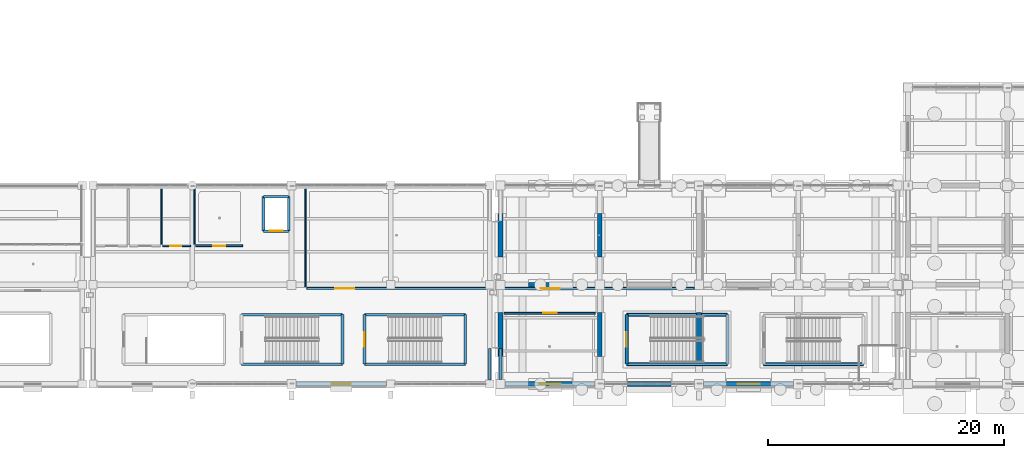
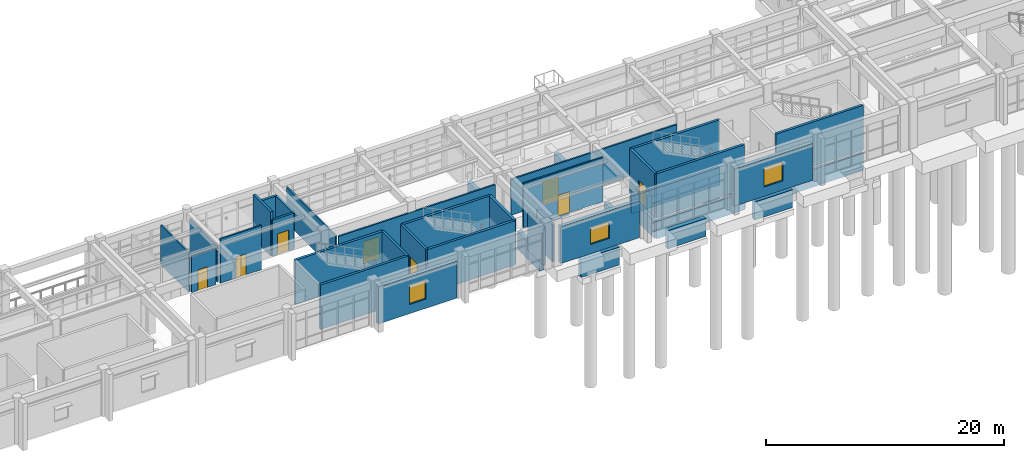
# One storey, part 84 of 111: 42 walls, 8 doors, 3 windows, 11 openings.
"""IFC4 building model written with IfcOpenShell, lengths in metres."""

from ifc_helpers import new_model, si_unit, direction, frame, frame_2d, origin, place, context, subcontext, project, spatial, rectangle, extrude, material, layer, layer_set, type_object, element, fill, save


model = new_model("IFC4")

# Units and contexts
model_context = context("Model", 3, precision=1e-05, world=origin(), true_north=direction((0.0, 1.0)))
body_context = subcontext(model_context, "Body", "Model", "MODEL_VIEW")
ifc_project = project(units=[si_unit("LENGTHUNIT", "METRE"), si_unit("AREAUNIT", "SQUARE_METRE"), si_unit("VOLUMEUNIT", "CUBIC_METRE"), si_unit("PLANEANGLEUNIT", "RADIAN"), si_unit("MASSUNIT", "GRAM", prefix="KILO")], contexts=[model_context])

# Site, building, storey
site_placement = place(None, origin())
site = spatial("IfcSite", under=ifc_project, at=site_placement, CompositionType="ELEMENT")
building_placement = place(site_placement, origin())
building = spatial("IfcBuilding", under=site, at=building_placement, Name="Canglan Escarpment Cableway Terminal", CompositionType="ELEMENT")
storey_placement = place(building_placement, frame((0.0, 0.0, 4.800048828125)))
storey = spatial("IfcBuildingStorey", under=building, at=storey_placement, Name="L01", CompositionType="ELEMENT", Elevation=4.800048828125)

# Walls
ifc_material_1 = material(Name="Concrete C40", Category="concrete")
ifc_layer_1 = layer(ifc_material_1, 0.39990234375, Name="Concrete C40")
ifc_layer_set_1 = layer_set([ifc_layer_1], Name="Concrete C40")
wall_type_1 = type_object("IfcWallType", Name="WL-BENCH-SOLID-400", PredefinedType="SOLIDWALL", material=ifc_layer_set_1)
for number, where, z_axis, x_axis, name in (
    (1, (79.35009765625, 8.0, -2.10009765625), (0.0, 0.0, 1.0), (1.0, 0.0, 0.0), "Hillside bench foundation wall BWALL-X-FB3-1-1"),
    (2, (87.75, 8.0, -2.10009765625), (0.0, 0.0, 1.0), (1.0, 0.0, 0.0), "Hillside bench foundation wall BWALL-X-FB3-1-2"),
):
    element("IfcWall", number, at=place(storey_placement, frame(where, z_axis=z_axis, x_axis=x_axis)), inside=storey, type_object=wall_type_1, Name=name, PredefinedType="SOLIDWALL", context=body_context, shape_type="SweptSolid", body=[
        extrude(rectangle(XDim=3.699951171875, YDim=0.39990234375, at=frame_2d((1.85009765625, 0.0))), origin(), (0.0, 0.0, 1.0), 1.85009765625),
    ])
wall_1_placement = place(storey_placement, frame((96.14990234375, 8.0, -2.10009765625), z_axis=(0.0, 0.0, 1.0), x_axis=(1.0, 0.0, 0.0)))
element("IfcWall", 3, at=wall_1_placement, inside=storey, type_object=wall_type_1, Name="Hillside bench foundation wall BWALL-X-FB3-1-3", PredefinedType="SOLIDWALL", context=body_context, shape_type="SweptSolid", body=[
    extrude(rectangle(XDim=3.7001953125, YDim=0.39990234375, at=frame_2d((1.85009765625, 0.0))), origin(), (0.0, 0.0, 1.0), 1.85009765625),
])
for number, where, z_axis, x_axis, name in (
    (4, (79.35009765625, 16.39990234375, -2.10009765625), (0.0, 0.0, 1.0), (1.0, 0.0, 0.0), "Hillside bench foundation wall BWALL-X-FB3-2-1"),
    (5, (77.0, 10.35009765625, -2.10009765625), (0.0, 0.0, 1.0), (0.0, 1.0, 0.0), "Hillside bench transverse foundation wall BWALL-Y-FB3-1-1"),
    (6, (77.0, 18.75, -2.10009765625), (0.0, 0.0, 1.0), (0.0, 1.0, 0.0), "Hillside bench transverse foundation wall BWALL-Y-FB3-1-2"),
    (7, (85.39990234375, 10.35009765625, -2.10009765625), (0.0, 0.0, 1.0), (0.0, 1.0, 0.0), "Hillside bench transverse foundation wall BWALL-Y-FB3-2-1"),
    (8, (85.39990234375, 18.75, -2.10009765625), (0.0, 0.0, 1.0), (0.0, 1.0, 0.0), "Hillside bench transverse foundation wall BWALL-Y-FB3-2-2"),
):
    element("IfcWall", number, at=place(storey_placement, frame(where, z_axis=z_axis, x_axis=x_axis)), inside=storey, type_object=wall_type_1, Name=name, PredefinedType="SOLIDWALL", context=body_context, shape_type="SweptSolid", body=[
        extrude(rectangle(XDim=3.699951171875, YDim=0.39990234375, at=frame_2d((1.85009765625, 0.0))), origin(), (0.0, 0.0, 1.0), 1.85009765625),
    ])
wall_2_placement = place(storey_placement, frame((93.800048828125, 9.820068359375, -2.10009765625), z_axis=(0.0, 0.0, 1.0), x_axis=(0.0, 1.0, 0.0)))
element("IfcWall", 9, at=wall_2_placement, inside=storey, type_object=wall_type_1, Name="Hillside bench transverse foundation wall BWALL-Y-FB3-3-1", PredefinedType="SOLIDWALL", context=body_context, shape_type="SweptSolid", body=[
    extrude(rectangle(XDim=4.22998046875, YDim=0.39990234375, at=frame_2d((2.114990234375, 0.0))), origin(), (0.0, 0.0, 1.0), 1.85009765625),
])
wall_3_placement = place(storey_placement, frame((87.679931640625, 9.679931640625, -2.10009765625), z_axis=(0.0, 0.0, 1.0), x_axis=(1.0, 0.0, 0.0)))
element("IfcWall", 10, at=wall_3_placement, inside=storey, type_object=wall_type_1, Name="Stair core foundation wall ST-06", PredefinedType="SOLIDWALL", context=body_context, shape_type="SweptSolid", body=[
    extrude(rectangle(XDim=8.5400390625, YDim=0.280029296875, at=frame_2d((4.27001953125, 0.0))), origin(), (0.0, 0.0, 1.0), 1.800048828125),
])
wall_4_placement = place(storey_placement, frame((96.219970703125, 9.679931640625, -2.10009765625), z_axis=(0.0, 0.0, 1.0), x_axis=(0.0, 1.0, 0.0)))
element("IfcWall", 11, at=wall_4_placement, inside=storey, type_object=wall_type_1, Name="Stair core foundation wall ST-06", PredefinedType="SOLIDWALL", context=body_context, shape_type="SweptSolid", body=[
    extrude(rectangle(XDim=4.190185546875, YDim=0.280029296875, at=frame_2d((2.09521484375, 0.0))), origin(), (0.0, 0.0, 1.0), 1.800048828125),
])
wall_5_placement = place(storey_placement, frame((96.219970703125, 13.8701171875, -2.10009765625), z_axis=(0.0, 0.0, 1.0), x_axis=(-1.0, 0.0, 0.0)))
element("IfcWall", 12, at=wall_5_placement, inside=storey, type_object=wall_type_1, Name="Stair core foundation wall ST-06", PredefinedType="SOLIDWALL", context=body_context, shape_type="SweptSolid", body=[
    extrude(rectangle(XDim=8.5400390625, YDim=0.280029296875, at=frame_2d((4.27001953125, 0.0))), origin(), (0.0, 0.0, 1.0), 1.800048828125),
])
wall_6_placement = place(storey_placement, frame((87.679931640625, 13.8701171875, -2.10009765625), z_axis=(0.0, 0.0, 1.0), x_axis=(0.0, -1.0, 0.0)))
element("IfcWall", 13, at=wall_6_placement, inside=storey, type_object=wall_type_1, Name="Stair core foundation wall ST-06", PredefinedType="SOLIDWALL", context=body_context, shape_type="SweptSolid", body=[
    extrude(rectangle(XDim=4.190185546875, YDim=0.280029296875, at=frame_2d((2.09521484375, 0.0))), origin(), (0.0, 0.0, 1.0), 1.800048828125),
])
wall_7_placement = place(storey_placement, frame((99.280029296875, 9.679931640625, -2.10009765625), z_axis=(0.0, 0.0, 1.0), x_axis=(1.0, 0.0, 0.0)))
element("IfcWall", 14, at=wall_7_placement, inside=storey, type_object=wall_type_1, Name="Stair core foundation wall ST-14", PredefinedType="SOLIDWALL", context=body_context, shape_type="SweptSolid", body=[
    extrude(rectangle(XDim=8.43994140625, YDim=0.280029296875, at=frame_2d((4.219970703125, 0.0))), origin(), (0.0, 0.0, 1.0), 1.800048828125),
])
ifc_layer_2 = layer(ifc_material_1, 0.239990234375, Name="Concrete C40")
ifc_layer_set_2 = layer_set([ifc_layer_2], Name="Concrete C40")
wall_type_2 = type_object("IfcWallType", Name="WL-CORE-SHEAR-240", PredefinedType="SHEAR", material=ifc_layer_set_2)
wall_8_placement = place(storey_placement, frame((55.080078125, 9.679931640625, 0.0), z_axis=(0.0, 0.0, 1.0), x_axis=(1.0, 0.0, 0.0)))
element("IfcWall", 15, at=wall_8_placement, inside=storey, type_object=wall_type_2, Name="Protected stair core wall ST-04 (L01)", PredefinedType="SHEAR", context=body_context, shape_type="SweptSolid", body=[
    extrude(rectangle(XDim=8.5400390625, YDim=0.239990234375, at=frame_2d((4.27001953125, 0.0))), origin(), (0.0, 0.0, 1.0), 4.550048828125),
])
wall_9_placement = place(storey_placement, frame((63.6201171875, 9.679931640625, 0.0), z_axis=(0.0, 0.0, 1.0), x_axis=(0.0, 1.0, 0.0)))
element("IfcWall", 16, at=wall_9_placement, inside=storey, type_object=wall_type_2, Name="Protected stair core wall ST-04 (L01)", PredefinedType="SHEAR", context=body_context, shape_type="SweptSolid", body=[
    extrude(rectangle(XDim=4.190185546875, YDim=0.239990234375, at=frame_2d((2.09521484375, 0.0))), origin(), (0.0, 0.0, 1.0), 4.550048828125),
])
for number, where, z_axis, x_axis, name in (
    (17, (63.6201171875, 13.8701171875, 0.0), (0.0, 0.0, 1.0), (-1.0, 0.0, 0.0), "Protected stair core wall ST-04 (L01)"),
    (18, (65.47998046875, 9.679931640625, 0.0), (0.0, 0.0, 1.0), (1.0, 0.0, 0.0), "Protected stair core wall ST-05 (L01)"),
):
    element("IfcWall", number, at=place(storey_placement, frame(where, z_axis=z_axis, x_axis=x_axis)), inside=storey, type_object=wall_type_2, Name=name, PredefinedType="SHEAR", context=body_context, shape_type="SweptSolid", body=[
        extrude(rectangle(XDim=8.5400390625, YDim=0.239990234375, at=frame_2d((4.27001953125, 0.0))), origin(), (0.0, 0.0, 1.0), 4.550048828125),
    ])
wall_10_placement = place(storey_placement, frame((74.02001953125, 9.679931640625, 0.0), z_axis=(0.0, 0.0, 1.0), x_axis=(0.0, 1.0, 0.0)))
element("IfcWall", 19, at=wall_10_placement, inside=storey, type_object=wall_type_2, Name="Protected stair core wall ST-05 (L01)", PredefinedType="SHEAR", context=body_context, shape_type="SweptSolid", body=[
    extrude(rectangle(XDim=4.190185546875, YDim=0.239990234375, at=frame_2d((2.09521484375, 0.0))), origin(), (0.0, 0.0, 1.0), 4.550048828125),
])
wall_11_placement = place(storey_placement, frame((74.02001953125, 13.8701171875, 0.0), z_axis=(0.0, 0.0, 1.0), x_axis=(-1.0, 0.0, 0.0)))
element("IfcWall", 20, at=wall_11_placement, inside=storey, type_object=wall_type_2, Name="Protected stair core wall ST-05 (L01)", PredefinedType="SHEAR", context=body_context, shape_type="SweptSolid", body=[
    extrude(rectangle(XDim=8.5400390625, YDim=0.239990234375, at=frame_2d((4.27001953125, 0.0))), origin(), (0.0, 0.0, 1.0), 4.550048828125),
])

# Wall, opening, door
wall_12_placement = place(storey_placement, frame((65.47998046875, 13.8701171875, 0.0), z_axis=(0.0, 0.0, 1.0), x_axis=(0.0, -1.0, 0.0)))
wall_12 = element("IfcWall", 21, at=wall_12_placement, inside=storey, type_object=wall_type_2, Name="Protected stair core wall ST-05 (L01)", PredefinedType="SHEAR", context=body_context, shape_type="SweptSolid", body=[
    extrude(rectangle(XDim=4.190185546875, YDim=0.239990234375, at=frame_2d((2.09521484375, 0.0))), origin(), (0.0, 0.0, 1.0), 4.550048828125),
])
opening_1_placement = place(wall_12_placement, frame((1.469970703125, 0.0, 0.0)))
opening_1 = element("IfcOpeningElement", 22, at=opening_1_placement, cuts=wall_12, Name="Opening SD-D1", PredefinedType="OPENING", context=body_context, shape_type="SweptSolid", body=[
    extrude(rectangle(XDim=1.25, YDim=2.199951171875, at=frame_2d((0.625, 1.10009765625))), frame((0.0, 0.1298828125, 0.0), z_axis=(0.0, -1.0, 0.0), x_axis=(1.0, 0.0, 0.0)), (0.0, 0.0, 1.0), 0.260009765625),
])
ifc_material_2 = material(Name="Steel fire-resisting stair door", Category="steel")
door_type_1 = type_object("IfcDoorType", Name="DR-STAIR-EI90-1250", OperationType="NOTDEFINED", PredefinedType="DOOR", material=ifc_material_2)
door_1_placement = place(opening_1_placement, origin())
door_1 = element("IfcDoor", 23, at=door_1_placement, inside=storey, type_object=door_type_1, Name="Protected exit stair fire door ST-05 (L01)", OperationType="SINGLE_SWING_RIGHT", OverallHeight=2.199951171875, OverallWidth=1.25, PredefinedType="DOOR", context=body_context, shape_type="SweptSolid", body=[
    extrude(rectangle(XDim=1.25, YDim=2.199951171875, at=frame_2d((0.625, 1.10009765625))), frame((0.0, 0.02490234375, 0.0), z_axis=(0.0, -1.0, 0.0), x_axis=(1.0, 0.0, 0.0)), (0.0, 0.0, 1.0), 0.050048828125),
])
fill(opening_1, door_1)

# Walls
for number, where, z_axis, x_axis, name in (
    (24, (87.679931640625, 9.679931640625, 0.0), (0.0, 0.0, 1.0), (1.0, 0.0, 0.0), "Protected stair core wall ST-06 (L01)"),
    (25, (96.219970703125, 13.8701171875, 0.0), (0.0, 0.0, 1.0), (-1.0, 0.0, 0.0), "Protected stair core wall ST-06 (L01)"),
):
    element("IfcWall", number, at=place(storey_placement, frame(where, z_axis=z_axis, x_axis=x_axis)), inside=storey, type_object=wall_type_2, Name=name, PredefinedType="SHEAR", context=body_context, shape_type="SweptSolid", body=[
        extrude(rectangle(XDim=8.5400390625, YDim=0.239990234375, at=frame_2d((4.27001953125, 0.0))), origin(), (0.0, 0.0, 1.0), 4.550048828125),
    ])

# Wall, opening, door
wall_13_placement = place(storey_placement, frame((87.679931640625, 13.8701171875, 0.0), z_axis=(0.0, 0.0, 1.0), x_axis=(0.0, -1.0, 0.0)))
wall_13 = element("IfcWall", 26, at=wall_13_placement, inside=storey, type_object=wall_type_2, Name="Protected stair core wall ST-06 (L01)", PredefinedType="SHEAR", context=body_context, shape_type="SweptSolid", body=[
    extrude(rectangle(XDim=4.190185546875, YDim=0.239990234375, at=frame_2d((2.09521484375, 0.0))), origin(), (0.0, 0.0, 1.0), 4.550048828125),
])
opening_2_placement = place(wall_13_placement, frame((1.469970703125, 0.0, 0.0)))
opening_2 = element("IfcOpeningElement", 27, at=opening_2_placement, cuts=wall_13, Name="Opening SD-D1", PredefinedType="OPENING", context=body_context, shape_type="SweptSolid", body=[
    extrude(rectangle(XDim=1.25, YDim=2.199951171875, at=frame_2d((0.625, 1.10009765625))), frame((0.0, 0.1298828125, 0.0), z_axis=(0.0, -1.0, 0.0), x_axis=(1.0, 0.0, 0.0)), (0.0, 0.0, 1.0), 0.260009765625),
])
door_2_placement = place(opening_2_placement, origin())
door_2 = element("IfcDoor", 28, at=door_2_placement, inside=storey, type_object=door_type_1, Name="Protected exit stair fire door ST-06 (L01)", OperationType="SINGLE_SWING_RIGHT", OverallHeight=2.199951171875, OverallWidth=1.25, PredefinedType="DOOR", context=body_context, shape_type="SweptSolid", body=[
    extrude(rectangle(XDim=1.25, YDim=2.199951171875, at=frame_2d((0.625, 1.10009765625))), frame((0.0, 0.02490234375, 0.0), z_axis=(0.0, -1.0, 0.0), x_axis=(1.0, 0.0, 0.0)), (0.0, 0.0, 1.0), 0.050048828125),
])
fill(opening_2, door_2)

# Walls
wall_14_placement = place(storey_placement, frame((99.280029296875, 9.679931640625, 0.0), z_axis=(0.0, 0.0, 1.0), x_axis=(1.0, 0.0, 0.0)))
element("IfcWall", 29, at=wall_14_placement, inside=storey, type_object=wall_type_2, Name="Protected stair core wall ST-14 (L01)", PredefinedType="SHEAR", context=body_context, shape_type="SweptSolid", body=[
    extrude(rectangle(XDim=8.43994140625, YDim=0.239990234375, at=frame_2d((4.219970703125, 0.0))), origin(), (0.0, 0.0, 1.0), 4.550048828125),
])
ifc_material_3 = material(Name="Insulated stone-faced spandrel wall", Category="masonry")
ifc_layer_3 = layer(ifc_material_3, 0.22998046875, Name="Insulated stone-faced spandrel wall")
ifc_layer_set_3 = layer_set([ifc_layer_3], Name="Insulated stone-faced spandrel wall")
wall_type_3 = type_object("IfcWallType", Name="WL-EXT-LINK-230", PredefinedType="STANDARD", material=ifc_layer_set_3)
wall_15_placement = place(storey_placement, frame((76.10009765625, 8.35009765625, 0.0), z_axis=(0.0, 0.0, 1.0), x_axis=(0.0, 1.0, 0.0)))
element("IfcWall", 30, at=wall_15_placement, inside=storey, type_object=wall_type_3, Name="Classical stone-faced exterior wall EW-FB2-L01-E-01-FL1", PredefinedType="STANDARD", context=body_context, shape_type="SweptSolid", body=[
    extrude(rectangle(XDim=2.64990234375, YDim=0.22998046875, at=frame_2d((1.324951171875, 0.0))), origin(), (0.0, 0.0, 1.0), 3.784912109375),
])
wall_16_placement = place(storey_placement, frame((77.0, 8.375, 0.0), z_axis=(0.0, 0.0, 1.0), x_axis=(0.0, 1.0, 0.0)))
element("IfcWall", 31, at=wall_16_placement, inside=storey, type_object=wall_type_3, Name="Classical stone-faced exterior wall EW-FB3-L01-W-01-FL1", PredefinedType="STANDARD", context=body_context, shape_type="SweptSolid", body=[
    extrude(rectangle(XDim=2.625, YDim=0.22998046875, at=frame_2d((1.3125, 0.0))), origin(), (0.0, 0.0, 1.0), 3.784912109375),
])

# Wall, opening, window
ifc_material_4 = material(Name="Rusticated limestone masonry on Concrete C40", Category="masonry")
ifc_layer_4 = layer(ifc_material_4, 0.360107421875, Name="Rusticated limestone masonry on Concrete C40")
ifc_layer_set_4 = layer_set([ifc_layer_4], Name="Rusticated limestone masonry on Concrete C40")
wall_type_4 = type_object("IfcWallType", Name="WL-EXT-RUST-360", PredefinedType="STANDARD", material=ifc_layer_set_4)
wall_17_placement = place(storey_placement, frame((59.675048828125, 8.0, 0.0), z_axis=(0.0, 0.0, 1.0), x_axis=(1.0, 0.0, 0.0)))
wall_17 = element("IfcWall", 32, at=wall_17_placement, inside=storey, type_object=wall_type_4, Name="Classical stone-faced exterior wall EW-FB2-L01-S-03", PredefinedType="STANDARD", context=body_context, shape_type="SweptSolid", body=[
    extrude(rectangle(XDim=7.675048828125, YDim=0.360107421875, at=frame_2d((3.83740234375, 0.0))), origin(), (0.0, 0.0, 1.0), 3.784912109375),
])
opening_3_placement = place(wall_17_placement, frame((3.03759765625, 0.0, 0.949951171875)))
opening_3 = element("IfcOpeningElement", 33, at=opening_3_placement, cuts=wall_17, Name="Opening W-11", PredefinedType="OPENING", context=body_context, shape_type="SweptSolid", body=[
    extrude(rectangle(XDim=1.60009765625, YDim=1.949951171875, at=frame_2d((0.800048828125, 0.97509765625))), frame((0.0, 0.18994140625, 0.0), z_axis=(0.0, -1.0, 0.0), x_axis=(1.0, 0.0, 0.0)), (0.0, 0.0, 1.0), 0.380126953125),
])
ifc_material_5 = material(Name="Anodized bronze aluminium and Low-E double glazing", Category="aluminium")
window_type_1 = type_object("IfcWindowType", Name="WIN-EXT-11", PartitioningType="SINGLE_PANEL", PredefinedType="WINDOW", material=ifc_material_5)
window_1_placement = place(opening_3_placement, origin())
window_1 = element("IfcWindow", 34, at=window_1_placement, inside=storey, type_object=window_type_1, Name="Classical module window W-11", OverallHeight=1.949951171875, OverallWidth=1.60009765625, PartitioningType="SINGLE_PANEL", PredefinedType="WINDOW", context=body_context, shape_type="SweptSolid", body=[
    extrude(rectangle(XDim=1.60009765625, YDim=1.949951171875, at=frame_2d((0.800048828125, 0.97509765625))), frame((0.0, 0.030029296875, 0.0), z_axis=(0.0, -1.0, 0.0), x_axis=(1.0, 0.0, 0.0)), (0.0, 0.0, 1.0), 0.06005859375),
])
fill(opening_3, window_1)

wall_18_placement = place(storey_placement, frame((77.375, 8.0, 0.0), z_axis=(0.0, 0.0, 1.0), x_axis=(1.0, 0.0, 0.0)))
wall_18 = element("IfcWall", 35, at=wall_18_placement, inside=storey, type_object=wall_type_4, Name="Classical stone-faced exterior wall EW-FB3-L01-S-01", PredefinedType="STANDARD", context=body_context, shape_type="SweptSolid", body=[
    extrude(rectangle(XDim=7.625, YDim=0.360107421875, at=frame_2d((3.8125, 0.0))), origin(), (0.0, 0.0, 1.0), 3.784912109375),
])
opening_4_placement = place(wall_18_placement, frame((2.887451171875, 0.0, 0.949951171875)))
opening_4 = element("IfcOpeningElement", 36, at=opening_4_placement, cuts=wall_18, Name="Opening W-14", PredefinedType="OPENING", context=body_context, shape_type="SweptSolid", body=[
    extrude(rectangle(XDim=1.85009765625, YDim=1.699951171875, at=frame_2d((0.925048828125, 0.85009765625))), frame((0.0, 0.18994140625, 0.0), z_axis=(0.0, -1.0, 0.0), x_axis=(1.0, 0.0, 0.0)), (0.0, 0.0, 1.0), 0.380126953125),
])
window_type_2 = type_object("IfcWindowType", Name="WIN-EXT-14", PartitioningType="DOUBLE_PANEL_VERTICAL", PredefinedType="WINDOW", material=ifc_material_5)
window_2_placement = place(opening_4_placement, origin())
window_2 = element("IfcWindow", 37, at=window_2_placement, inside=storey, type_object=window_type_2, Name="Classical module window W-14", OverallHeight=1.699951171875, OverallWidth=1.85009765625, PartitioningType="SINGLE_PANEL", PredefinedType="WINDOW", context=body_context, shape_type="SweptSolid", body=[
    extrude(rectangle(XDim=1.85009765625, YDim=1.699951171875, at=frame_2d((0.925048828125, 0.85009765625))), frame((0.0, 0.030029296875, 0.0), z_axis=(0.0, -1.0, 0.0), x_axis=(1.0, 0.0, 0.0)), (0.0, 0.0, 1.0), 0.06005859375),
])
fill(opening_4, window_2)

wall_19_placement = place(storey_placement, frame((94.199951171875, 8.0, 0.0), z_axis=(0.0, 0.0, 1.0), x_axis=(1.0, 0.0, 0.0)))
wall_19 = element("IfcWall", 38, at=wall_19_placement, inside=storey, type_object=wall_type_4, Name="Classical stone-faced exterior wall EW-FB3-L01-S-03", PredefinedType="STANDARD", context=body_context, shape_type="SweptSolid", body=[
    extrude(rectangle(XDim=7.60009765625, YDim=0.360107421875, at=frame_2d((3.800048828125, 0.0))), origin(), (0.0, 0.0, 1.0), 3.784912109375),
])
opening_5_placement = place(wall_19_placement, frame((2.875, 0.0, 0.949951171875)))
opening_5 = element("IfcOpeningElement", 39, at=opening_5_placement, cuts=wall_19, Name="Opening W-15", PredefinedType="OPENING", context=body_context, shape_type="SweptSolid", body=[
    extrude(rectangle(XDim=1.85009765625, YDim=1.949951171875, at=frame_2d((0.925048828125, 0.97509765625))), frame((0.0, 0.18994140625, 0.0), z_axis=(0.0, -1.0, 0.0), x_axis=(1.0, 0.0, 0.0)), (0.0, 0.0, 1.0), 0.380126953125),
])
window_type_3 = type_object("IfcWindowType", Name="WIN-EXT-15", PartitioningType="DOUBLE_PANEL_VERTICAL", PredefinedType="WINDOW", material=ifc_material_5)
window_3_placement = place(opening_5_placement, origin())
window_3 = element("IfcWindow", 40, at=window_3_placement, inside=storey, type_object=window_type_3, Name="Classical module window W-15", OverallHeight=1.949951171875, OverallWidth=1.85009765625, PartitioningType="SINGLE_PANEL", PredefinedType="WINDOW", context=body_context, shape_type="SweptSolid", body=[
    extrude(rectangle(XDim=1.85009765625, YDim=1.949951171875, at=frame_2d((0.925048828125, 0.97509765625))), frame((0.0, 0.030029296875, 0.0), z_axis=(0.0, -1.0, 0.0), x_axis=(1.0, 0.0, 0.0)), (0.0, 0.0, 1.0), 0.06005859375),
])
fill(opening_5, window_3)

# Wall, opening, door
ifc_material_6 = material(Name="Moisture-resistant tile-faced partition", Category="gypsum")
ifc_layer_5 = layer(ifc_material_6, 0.1201171875, Name="Moisture-resistant tile-faced partition")
ifc_layer_set_5 = layer_set([ifc_layer_5], Name="Moisture-resistant tile-faced partition")
wall_type_5 = type_object("IfcWallType", Name="WL-INT-PART-120", PredefinedType="PARTITIONING", material=ifc_layer_set_5)
wall_20_placement = place(storey_placement, frame((48.39990234375, 19.699951171875, 0.0), z_axis=(0.0, 0.0, 1.0), x_axis=(1.0, 0.0, 0.0)))
wall_20 = element("IfcWall", 41, at=wall_20_placement, inside=storey, type_object=wall_type_5, Name="Interior partition wall IW-L01-08-MAIN", PredefinedType="PARTITIONING", context=body_context, shape_type="SweptSolid", body=[
    extrude(rectangle(XDim=2.400146484375, YDim=0.1201171875, at=frame_2d((1.2001953125, 0.0))), origin(), (0.0, 0.0, 1.0), 3.71484375),
])
opening_6_placement = place(wall_20_placement, frame((0.625, 0.0, 0.0)))
opening_6 = element("IfcOpeningElement", 42, at=opening_6_placement, cuts=wall_20, Name="Opening ID-01", PredefinedType="OPENING", context=body_context, shape_type="SweptSolid", body=[
    extrude(rectangle(XDim=0.949951171875, YDim=2.1201171875, at=frame_2d((0.47509765625, 1.06005859375))), frame((0.0, 0.070068359375, 0.0), z_axis=(0.0, -1.0, 0.0), x_axis=(1.0, 0.0, 0.0)), (0.0, 0.0, 1.0), 0.14013671875),
])
ifc_material_7 = material(Name="Stained oak and safety glass door", Category="glass")
door_type_2 = type_object("IfcDoorType", Name="DR-INT-ID-01", OperationType="NOTDEFINED", PredefinedType="DOOR", material=ifc_material_7)
door_3_placement = place(opening_6_placement, origin())
door_3 = element("IfcDoor", 43, at=door_3_placement, inside=storey, type_object=door_type_2, Name="Female WC door ID-01", OperationType="SINGLE_SWING_RIGHT", OverallHeight=2.1201171875, OverallWidth=0.949951171875, PredefinedType="DOOR", context=body_context, shape_type="SweptSolid", body=[
    extrude(rectangle(XDim=0.949951171875, YDim=2.1201171875, at=frame_2d((0.47509765625, 1.06005859375))), frame((0.0, 0.02490234375, 0.0), z_axis=(0.0, -1.0, 0.0), x_axis=(1.0, 0.0, 0.0)), (0.0, 0.0, 1.0), 0.050048828125),
])
fill(opening_6, door_3)

# Wall
ifc_material_8 = material(Name="Acoustic double-stud gypsum partition", Category="gypsum")
ifc_layer_6 = layer(ifc_material_8, 0.14990234375, Name="Acoustic double-stud gypsum partition")
ifc_layer_set_6 = layer_set([ifc_layer_6], Name="Acoustic double-stud gypsum partition")
wall_type_6 = type_object("IfcWallType", Name="WL-INT-PART-150", PredefinedType="PARTITIONING", material=ifc_layer_set_6)
wall_21_placement = place(storey_placement, frame((48.300048828125, 19.85009765625, 0.0), z_axis=(0.0, 0.0, 1.0), x_axis=(0.0, 1.0, 0.0)))
element("IfcWall", 44, at=wall_21_placement, inside=storey, type_object=wall_type_6, Name="Interior partition wall IW-L01-08-SIDE", PredefinedType="PARTITIONING", context=body_context, shape_type="SweptSolid", body=[
    extrude(rectangle(XDim=4.64990234375, YDim=0.14990234375, at=frame_2d((2.324951171875, 0.0))), origin(), (0.0, 0.0, 1.0), 4.06494140625),
])

# Wall, opening, door
wall_22_placement = place(storey_placement, frame((51.199951171875, 19.699951171875, 0.0), z_axis=(0.0, 0.0, 1.0), x_axis=(1.0, 0.0, 0.0)))
wall_22 = element("IfcWall", 45, at=wall_22_placement, inside=storey, type_object=wall_type_6, Name="Interior partition wall IW-L01-09-MAIN", PredefinedType="PARTITIONING", context=body_context, shape_type="SweptSolid", body=[
    extrude(rectangle(XDim=4.0, YDim=0.14990234375, at=frame_2d((2.0, 0.0))), origin(), (0.0, 0.0, 1.0), 4.534912109375),
])
opening_7_placement = place(wall_22_placement, frame((1.5, 0.0, 0.0)))
opening_7 = element("IfcOpeningElement", 46, at=opening_7_placement, cuts=wall_22, Name="Opening ID-02", PredefinedType="OPENING", context=body_context, shape_type="SweptSolid", body=[
    extrude(rectangle(XDim=1.0, YDim=2.139892578125, at=frame_2d((0.5, 1.06982421875))), frame((0.0, 0.0849609375, 0.0), z_axis=(0.0, -1.0, 0.0), x_axis=(1.0, 0.0, 0.0)), (0.0, 0.0, 1.0), 0.169921875),
])
door_type_3 = type_object("IfcDoorType", Name="DR-INT-ID-02", OperationType="NOTDEFINED", PredefinedType="DOOR", material=ifc_material_7)
door_4_placement = place(opening_7_placement, origin())
door_4 = element("IfcDoor", 47, at=door_4_placement, inside=storey, type_object=door_type_3, Name="Maternal Care Room door ID-02", OperationType="SINGLE_SWING_LEFT", OverallHeight=2.139892578125, OverallWidth=1.0, PredefinedType="DOOR", context=body_context, shape_type="SweptSolid", body=[
    extrude(rectangle(XDim=1.0, YDim=2.139892578125, at=frame_2d((0.5, 1.06982421875))), frame((0.0, 0.02490234375, 0.0), z_axis=(0.0, -1.0, 0.0), x_axis=(1.0, 0.0, 0.0)), (0.0, 0.0, 1.0), 0.050048828125),
])
fill(opening_7, door_4)

# Wall
wall_23_placement = place(storey_placement, frame((51.10009765625, 19.85009765625, 0.0), z_axis=(0.0, 0.0, 1.0), x_axis=(0.0, 1.0, 0.0)))
element("IfcWall", 48, at=wall_23_placement, inside=storey, type_object=wall_type_6, Name="Interior partition wall IW-L01-09-SIDE", PredefinedType="PARTITIONING", context=body_context, shape_type="SweptSolid", body=[
    extrude(rectangle(XDim=4.64990234375, YDim=0.14990234375, at=frame_2d((2.324951171875, 0.0))), origin(), (0.0, 0.0, 1.0), 3.71484375),
])

# Wall, opening, door
wall_24_placement = place(storey_placement, frame((60.60009765625, 16.10009765625, 0.0), z_axis=(0.0, 0.0, 1.0), x_axis=(1.0, 0.0, 0.0)))
wall_24 = element("IfcWall", 49, at=wall_24_placement, inside=storey, type_object=wall_type_6, Name="Interior partition wall IW-L01-10-MAIN", PredefinedType="PARTITIONING", context=body_context, shape_type="SweptSolid", body=[
    extrude(rectangle(XDim=15.199951171875, YDim=0.14990234375, at=frame_2d((7.60009765625, 0.0))), origin(), (0.0, 0.0, 1.0), 3.68505859375),
])
opening_8_placement = place(wall_24_placement, frame((2.39990234375, 0.0, 0.0)))
opening_8 = element("IfcOpeningElement", 50, at=opening_8_placement, cuts=wall_24, Name="Opening ID-24", PredefinedType="OPENING", context=body_context, shape_type="SweptSolid", body=[
    extrude(rectangle(XDim=1.60009765625, YDim=2.280029296875, at=frame_2d((0.800048828125, 1.14013671875))), frame((0.0, 0.0849609375, 0.0), z_axis=(0.0, -1.0, 0.0), x_axis=(1.0, 0.0, 0.0)), (0.0, 0.0, 1.0), 0.169921875),
])
door_type_4 = type_object("IfcDoorType", Name="DR-INT-ID-24", OperationType="NOTDEFINED", PredefinedType="DOOR", material=ifc_material_7)
door_5_placement = place(opening_8_placement, origin())
door_5 = element("IfcDoor", 51, at=door_5_placement, inside=storey, type_object=door_type_4, Name="Mountain Sports Briefing Room door ID-24", OperationType="DOUBLE_DOOR_SINGLE_SWING", OverallHeight=2.280029296875, OverallWidth=1.60009765625, PredefinedType="DOOR", context=body_context, shape_type="SweptSolid", body=[
    extrude(rectangle(XDim=1.60009765625, YDim=2.280029296875, at=frame_2d((0.800048828125, 1.14013671875))), frame((0.0, 0.02490234375, 0.0), z_axis=(0.0, -1.0, 0.0), x_axis=(1.0, 0.0, 0.0)), (0.0, 0.0, 1.0), 0.050048828125),
])
fill(opening_8, door_5)

# Wall
wall_25_placement = place(storey_placement, frame((60.5, 16.25, 0.0), z_axis=(0.0, 0.0, 1.0), x_axis=(0.0, 1.0, 0.0)))
element("IfcWall", 52, at=wall_25_placement, inside=storey, type_object=wall_type_6, Name="Interior partition wall IW-L01-10-SIDE", PredefinedType="PARTITIONING", context=body_context, shape_type="SweptSolid", body=[
    extrude(rectangle(XDim=8.25, YDim=0.14990234375, at=frame_2d((4.125, 0.0))), origin(), (0.0, 0.0, 1.0), 3.68505859375),
])

# Wall, opening, door
wall_26_placement = place(storey_placement, frame((77.300048828125, 16.10009765625, 0.0), z_axis=(0.0, 0.0, 1.0), x_axis=(1.0, 0.0, 0.0)))
wall_26 = element("IfcWall", 53, at=wall_26_placement, inside=storey, type_object=wall_type_6, Name="Interior partition wall IW-L01-11-MAIN", PredefinedType="PARTITIONING", context=body_context, shape_type="SweptSolid", body=[
    extrude(rectangle(XDim=16.099853515625, YDim=0.14990234375, at=frame_2d((8.0498046875, 0.0))), origin(), (0.0, 0.0, 1.0), 3.68505859375),
])
opening_9_placement = place(wall_26_placement, frame((3.10009765625, 0.0, 0.0)))
opening_9 = element("IfcOpeningElement", 54, at=opening_9_placement, cuts=wall_26, Name="Opening ID-24", PredefinedType="OPENING", context=body_context, shape_type="SweptSolid", body=[
    extrude(rectangle(XDim=1.60009765625, YDim=2.280029296875, at=frame_2d((0.800048828125, 1.14013671875))), frame((0.0, 0.0849609375, 0.0), z_axis=(0.0, -1.0, 0.0), x_axis=(1.0, 0.0, 0.0)), (0.0, 0.0, 1.0), 0.169921875),
])
door_6_placement = place(opening_9_placement, origin())
door_6 = element("IfcDoor", 55, at=door_6_placement, inside=storey, type_object=door_type_4, Name="Equipment Rental Hall door ID-24", OperationType="DOUBLE_DOOR_SINGLE_SWING", OverallHeight=2.280029296875, OverallWidth=1.60009765625, PredefinedType="DOOR", context=body_context, shape_type="SweptSolid", body=[
    extrude(rectangle(XDim=1.60009765625, YDim=2.280029296875, at=frame_2d((0.800048828125, 1.14013671875))), frame((0.0, 0.02490234375, 0.0), z_axis=(0.0, -1.0, 0.0), x_axis=(1.0, 0.0, 0.0)), (0.0, 0.0, 1.0), 0.050048828125),
])
fill(opening_9, door_6)

wall_27_placement = place(storey_placement, frame((77.300048828125, 14.0, 0.0), z_axis=(0.0, 0.0, 1.0), x_axis=(1.0, 0.0, 0.0)))
wall_27 = element("IfcWall", 56, at=wall_27_placement, inside=storey, type_object=wall_type_6, Name="Interior partition wall IW-L01-13-MAIN", PredefinedType="PARTITIONING", context=body_context, shape_type="SweptSolid", body=[
    extrude(rectangle(XDim=7.699951171875, YDim=0.14990234375, at=frame_2d((3.85009765625, 0.0))), origin(), (0.0, 0.0, 1.0), 4.534912109375),
])
opening_10_placement = place(wall_27_placement, frame((3.324951171875, 0.0, 0.0)))
opening_10 = element("IfcOpeningElement", 57, at=opening_10_placement, cuts=wall_27, Name="Opening ID-07", PredefinedType="OPENING", context=body_context, shape_type="SweptSolid", body=[
    extrude(rectangle(XDim=1.14990234375, YDim=2.14990234375, at=frame_2d((0.574951171875, 1.074951171875))), frame((0.0, 0.0849609375, 0.0), z_axis=(0.0, -1.0, 0.0), x_axis=(1.0, 0.0, 0.0)), (0.0, 0.0, 1.0), 0.169921875),
])
door_type_5 = type_object("IfcDoorType", Name="DR-INT-ID-07", OperationType="NOTDEFINED", PredefinedType="DOOR", material=ifc_material_7)
door_7_placement = place(opening_10_placement, origin())
door_7 = element("IfcDoor", 58, at=door_7_placement, inside=storey, type_object=door_type_5, Name="Guided Trekking Desk door ID-07", OperationType="SINGLE_SWING_RIGHT", OverallHeight=2.14990234375, OverallWidth=1.14990234375, PredefinedType="DOOR", context=body_context, shape_type="SweptSolid", body=[
    extrude(rectangle(XDim=1.14990234375, YDim=2.14990234375, at=frame_2d((0.574951171875, 1.074951171875))), frame((0.0, 0.02490234375, 0.0), z_axis=(0.0, -1.0, 0.0), x_axis=(1.0, 0.0, 0.0)), (0.0, 0.0, 1.0), 0.050048828125),
])
fill(opening_10, door_7)

ifc_layer_7 = layer(ifc_material_1, 0.219970703125, Name="Concrete C40")
ifc_layer_set_7 = layer_set([ifc_layer_7], Name="Concrete C40")
wall_type_7 = type_object("IfcWallType", Name="WL-SHAFT-SHEAR-220", PredefinedType="SHEAR", material=ifc_layer_set_7)
wall_28_placement = place(storey_placement, frame((56.93994140625, 20.93994140625, 0.0), z_axis=(0.0, 0.0, 1.0), x_axis=(1.0, 0.0, 0.0)))
wall_28 = element("IfcWall", 59, at=wall_28_placement, inside=storey, type_object=wall_type_7, Name="Elevator core shaft wall LF-05 (L01)", PredefinedType="SHEAR", context=body_context, shape_type="SweptSolid", body=[
    extrude(rectangle(XDim=2.1201171875, YDim=0.219970703125, at=frame_2d((1.06005859375, 0.0))), origin(), (0.0, 0.0, 1.0), 3.71484375),
])
opening_11_placement = place(wall_28_placement, frame((0.510009765625, 0.0, 0.0)))
opening_11 = element("IfcOpeningElement", 60, at=opening_11_placement, cuts=wall_28, Name="Opening LD-01", PredefinedType="OPENING", context=body_context, shape_type="SweptSolid", body=[
    extrude(rectangle(XDim=1.10009765625, YDim=2.14990234375, at=frame_2d((0.550048828125, 1.074951171875))), frame((0.0, 0.1201171875, 0.0), z_axis=(0.0, -1.0, 0.0), x_axis=(1.0, 0.0, 0.0)), (0.0, 0.0, 1.0), 0.239990234375),
])
ifc_material_9 = material(Name="Brushed stainless steel lift landing door", Category="steel")
door_type_6 = type_object("IfcDoorType", Name="DR-LIFT-SLIDE-1100", OperationType="DOUBLE_DOOR_SLIDING", PredefinedType="DOOR", material=ifc_material_9)
door_8_placement = place(opening_11_placement, origin())
door_8 = element("IfcDoor", 61, at=door_8_placement, inside=storey, type_object=door_type_6, Name="Elevator sliding landing door LF-05 (L01)", OperationType="DOUBLE_DOOR_SLIDING", OverallHeight=2.14990234375, OverallWidth=1.10009765625, PredefinedType="DOOR", context=body_context, shape_type="SweptSolid", body=[
    extrude(rectangle(XDim=1.10009765625, YDim=2.14990234375, at=frame_2d((0.550048828125, 1.074951171875))), frame((0.0, 0.02490234375, 0.0), z_axis=(0.0, -1.0, 0.0), x_axis=(1.0, 0.0, 0.0)), (0.0, 0.0, 1.0), 0.050048828125),
])
fill(opening_11, door_8)

# Walls
wall_29_placement = place(storey_placement, frame((59.06005859375, 20.93994140625, 0.0), z_axis=(0.0, 0.0, 1.0), x_axis=(0.0, 1.0, 0.0)))
element("IfcWall", 62, at=wall_29_placement, inside=storey, type_object=wall_type_7, Name="Elevator core shaft wall LF-05 (L01)", PredefinedType="SHEAR", context=body_context, shape_type="SweptSolid", body=[
    extrude(rectangle(XDim=2.920166015625, YDim=0.219970703125, at=frame_2d((1.4599609375, 0.0))), origin(), (0.0, 0.0, 1.0), 3.71484375),
])
wall_30_placement = place(storey_placement, frame((59.06005859375, 23.860107421875, 0.0), z_axis=(0.0, 0.0, 1.0), x_axis=(-1.0, 0.0, 0.0)))
element("IfcWall", 63, at=wall_30_placement, inside=storey, type_object=wall_type_7, Name="Elevator core shaft wall LF-05 (L01)", PredefinedType="SHEAR", context=body_context, shape_type="SweptSolid", body=[
    extrude(rectangle(XDim=2.1201171875, YDim=0.219970703125, at=frame_2d((1.06005859375, 0.0))), origin(), (0.0, 0.0, 1.0), 3.71484375),
])
wall_31_placement = place(storey_placement, frame((56.93994140625, 23.860107421875, 0.0), z_axis=(0.0, 0.0, 1.0), x_axis=(0.0, -1.0, 0.0)))
element("IfcWall", 64, at=wall_31_placement, inside=storey, type_object=wall_type_7, Name="Elevator core shaft wall LF-05 (L01)", PredefinedType="SHEAR", context=body_context, shape_type="SweptSolid", body=[
    extrude(rectangle(XDim=2.920166015625, YDim=0.219970703125, at=frame_2d((1.4599609375, 0.0))), origin(), (0.0, 0.0, 1.0), 4.550048828125),
])

save(model, "model.ifc")
